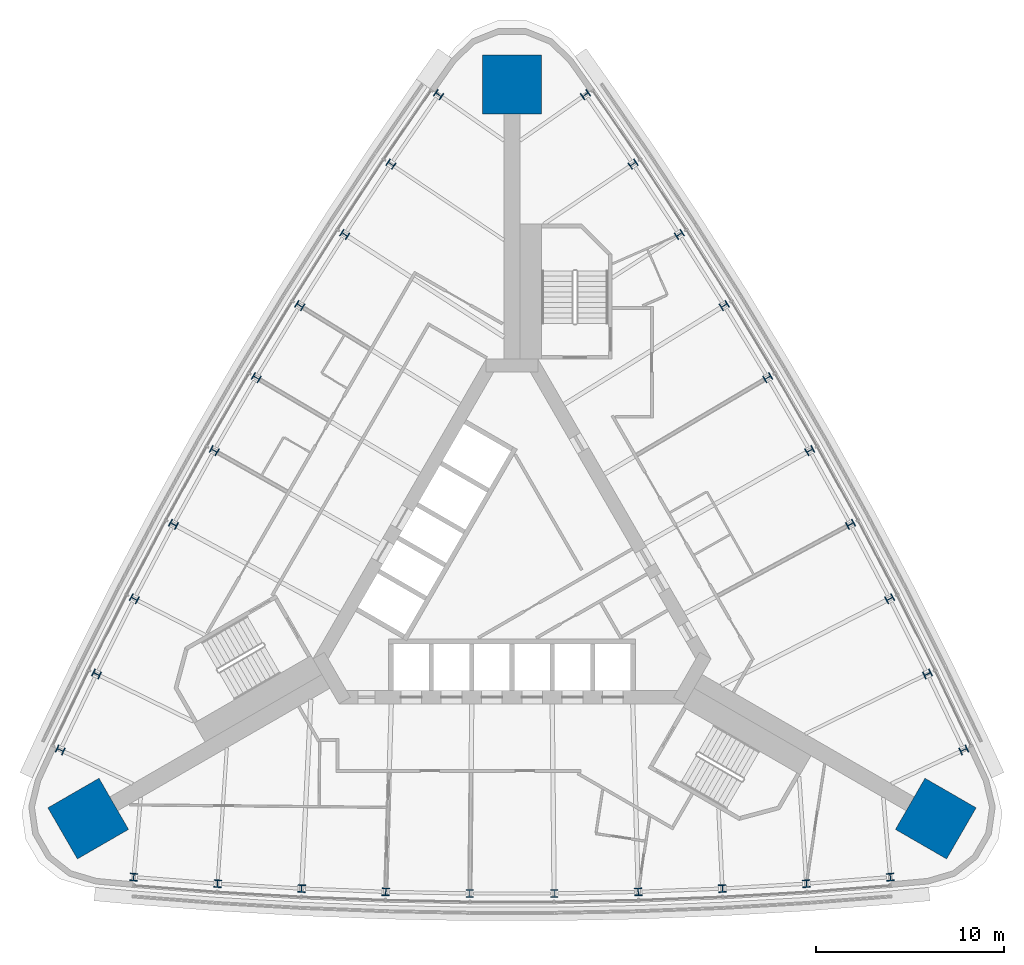
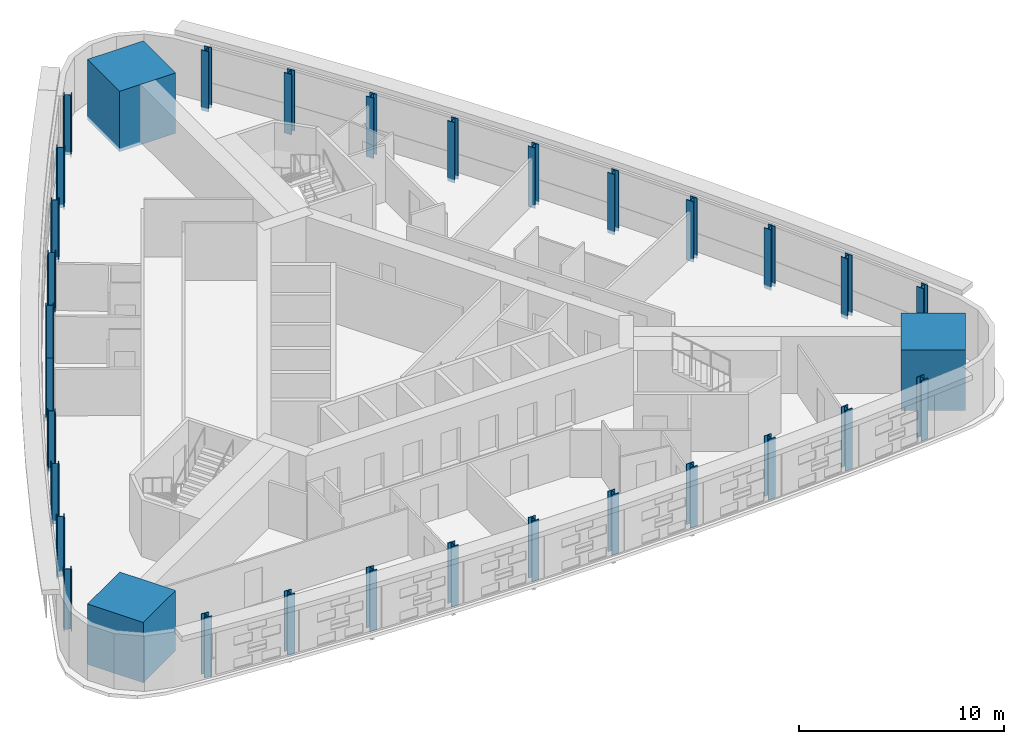
# One storey, part 1 of 13: 33 columns.
"""IFC4 building model written with IfcOpenShell, lengths in metres."""

from ifc_helpers import new_model, si_unit, direction, frame, origin, origin_2d, place, context, subcontext, project, spatial, rectangle, i_section, extrude, material, material_profile, profile_set, type_object, element, save


model = new_model("IFC4")

# Units and contexts
model_context = context("Model", 3, precision=1e-05, world=origin(), true_north=direction((0.0, 1.0)))
body_context = subcontext(model_context, "Body", "Model", "MODEL_VIEW")
ifc_project = project(units=[si_unit("LENGTHUNIT", "METRE"), si_unit("AREAUNIT", "SQUARE_METRE"), si_unit("VOLUMEUNIT", "CUBIC_METRE"), si_unit("PLANEANGLEUNIT", "RADIAN"), si_unit("MASSUNIT", "GRAM", prefix="KILO")], contexts=[model_context])

# Site, building, storey
site_placement = place(None, origin())
site = spatial("IfcSite", under=ifc_project, at=site_placement, CompositionType="ELEMENT")
building_placement = place(site_placement, origin())
building = spatial("IfcBuilding", under=site, at=building_placement, Name="Noor Cloister Tower", CompositionType="ELEMENT")
storey_placement = place(building_placement, frame((0.0, 0.0, 79.800048828125)))
storey = spatial("IfcBuildingStorey", under=building, at=storey_placement, Name="L20", CompositionType="ELEMENT", Elevation=79.800048828125)

# Columns
ifc_material_1 = material(Name="Steel ASTM A992 Gr 50", Category="steel")
ifc_material_profile_1 = material_profile(ifc_material_1, i_section(OverallWidth=0.404052734375, OverallDepth=0.406005859375, WebThickness=0.027099609375, FlangeThickness=0.043701171875, FilletRadius=0.01513671875, at=origin_2d()), Name="W360x347")
ifc_profile_set_1 = profile_set([ifc_material_profile_1], Name="Steel ASTM A992 Gr 50")
column_type_1 = type_object("IfcColumnType", Name="Column W360x347", PredefinedType="COLUMN", material=ifc_profile_set_1)
for number, where, z_axis, x_axis, name in (
    (1, (-3.913818359375, 25.556884765625, -0.199951171875), (0.0, 0.0, 1.0), (-0.57389872183, -0.818926283057, 0.0), "Column NW 01 L20"),
    (2, (-6.454345703125, 21.85546875, -0.199951171875), (0.0, 0.0, 1.0), (-0.557838169757, -0.829949743275, 0.0), "Column NW 02 L20"),
    (3, (-8.922119140625, 18.10546875, -0.199951171875), (0.0, 0.0, 1.0), (-0.541565941508, -0.840658272426, 0.0), "Column NW 03 L20"),
    (4, (-11.31640625, 14.30810546875, -0.199951171875), (0.0, 0.0, 1.0), (-0.525088211726, -0.851047807063, 0.0), "Column NW 04 L20"),
    (5, (-13.636474609375, 10.46484375, -0.199951171875), (0.0, 0.0, 1.0), (-0.508411233016, -0.861114404794, 0.0), "Column NW 05 L20"),
    (6, (-15.881103515625, 6.5771484375, -0.199951171875), (0.0, 0.0, 1.0), (-0.491541333608, -0.870854245758, 0.0), "Column NW 06 L20"),
    (7, (-18.049560546875, 2.646240234375, -0.199951171875), (0.0, 0.0, 1.0), (-0.474484914889, -0.880263634114, 0.0), "Column NW 07 L20"),
    (8, (-20.140869140625, -1.325927734375, -0.199951171875), (0.0, 0.0, 1.0), (-0.457248449068, -0.889338999384, 0.0), "Column NW 08 L20"),
    (9, (-22.154541015625, -5.338134765625, -0.199951171875), (0.0, 0.0, 1.0), (-0.439838476662, -0.898076897848, 0.0), "Column NW 09 L20"),
    (10, (-24.08984375, -9.388916015625, -0.199951171875), (0.0, 0.0, 1.0), (-0.422261604039, -0.906474013833, 0.0), "Column NW 10 L20"),
    (11, (-20.176025390625, -16.16796875, -0.199951171875), (0.0, 0.0, 1.0), (0.996160325869, -0.087547730776, 0.0), "Column S 01 L20"),
    (12, (-15.700439453125, -16.517333984375, -0.199951171875), (0.0, 0.0, 1.0), (0.997676646419, -0.068127154572, 0.0), "Column S 02 L20"),
    (13, (-11.21875, -16.779541015625, -0.199951171875), (0.0, 0.0, 1.0), (0.998814390577, -0.048680726958, 0.0), "Column S 03 L20"),
    (14, (-6.73291015625, -16.954345703125, -0.199951171875), (0.0, 0.0, 1.0), (0.999573126614, -0.029215827051, 0.0), "Column S 04 L20"),
    (15, (-2.24462890625, -17.0419921875, -0.199951171875), (0.0, 0.0, 1.0), (0.999952566624, -0.009739840965, 0.0), "Column S 05 L20"),
    (16, (2.24462890625, -17.0419921875, -0.199951171875), (0.0, 0.0, 1.0), (0.999952566624, 0.009739840965, 0.0), "Column S 06 L20"),
    (17, (6.73291015625, -16.954345703125, -0.199951171875), (0.0, 0.0, 1.0), (0.999573126614, 0.029215827051, 0.0), "Column S 07 L20"),
    (18, (11.21875, -16.779541015625, -0.199951171875), (0.0, 0.0, 1.0), (0.998814390577, 0.048680726958, 0.0), "Column S 08 L20"),
    (19, (15.700439453125, -16.517333984375, -0.199951171875), (0.0, 0.0, 1.0), (0.997676646419, 0.068127154572, 0.0), "Column S 09 L20"),
    (20, (20.176025390625, -16.16796875, -0.199951171875), (0.0, 0.0, 1.0), (0.996160325869, 0.087547730776, 0.0), "Column S 10 L20"),
    (21, (24.08984375, -9.388916015625, -0.199951171875), (0.0, 0.0, 1.0), (-0.422261604039, 0.906474013833, 0.0), "Column NE 01 L20"),
    (22, (22.154541015625, -5.338134765625, -0.199951171875), (0.0, 0.0, 1.0), (-0.439838476662, 0.898076897848, 0.0), "Column NE 02 L20"),
    (23, (20.140869140625, -1.325927734375, -0.199951171875), (0.0, 0.0, 1.0), (-0.457248449068, 0.889338999384, 0.0), "Column NE 03 L20"),
    (24, (18.049560546875, 2.646240234375, -0.199951171875), (0.0, 0.0, 1.0), (-0.474484914889, 0.880263634114, 0.0), "Column NE 04 L20"),
    (25, (15.881103515625, 6.5771484375, -0.199951171875), (0.0, 0.0, 1.0), (-0.491541333608, 0.870854245758, 0.0), "Column NE 05 L20"),
    (26, (13.636474609375, 10.46484375, -0.199951171875), (0.0, 0.0, 1.0), (-0.508411233016, 0.861114404794, 0.0), "Column NE 06 L20"),
    (27, (11.31640625, 14.30810546875, -0.199951171875), (0.0, 0.0, 1.0), (-0.525088211726, 0.851047807063, 0.0), "Column NE 07 L20"),
    (28, (8.922119140625, 18.10546875, -0.199951171875), (0.0, 0.0, 1.0), (-0.541565941508, 0.840658272426, 0.0), "Column NE 08 L20"),
    (29, (6.454345703125, 21.85546875, -0.199951171875), (0.0, 0.0, 1.0), (-0.557838169757, 0.829949743275, 0.0), "Column NE 09 L20"),
    (30, (3.913818359375, 25.556884765625, -0.199951171875), (0.0, 0.0, 1.0), (-0.57389872183, 0.818926283057, 0.0), "Column NE 10 L20"),
):
    element("IfcColumn", number, at=place(storey_placement, frame(where, z_axis=z_axis, x_axis=x_axis)), inside=storey, type_object=column_type_1, Name=name, PredefinedType="COLUMN", context=body_context, shape_type="SweptSolid", body=[
        extrude(i_section(OverallWidth=0.404052734375, OverallDepth=0.406005859375, WebThickness=0.027099609375, FlangeThickness=0.043701171875, FilletRadius=0.01513671875, at=origin_2d()), origin(), (0.0, 0.0, 1.0), 3.599853515625),
    ])
ifc_material_2 = material(Name="Concrete C80/95", Category="concrete")
ifc_material_profile_2 = material_profile(ifc_material_2, rectangle(XDim=3.14990234375, YDim=3.14990234375, at=origin_2d()), Name="RC 3150x3150")
ifc_profile_set_2 = profile_set([ifc_material_profile_2], Name="Concrete C80/95")
column_type_2 = type_object("IfcColumnType", Name="Corner pier 3150 x 3150 C80/95", PredefinedType="COLUMN", material=ifc_profile_set_2)
for number, where, z_axis, x_axis, name in (
    (31, (0.0, 26.095947265625, -0.199951171875), (0.0, 0.0, 1.0), (0.0, 1.0, 0.0), "Corner pier N L20"),
    (32, (-22.599853515625, -13.048095703125, -0.199951171875), (0.0, 0.0, 1.0), (-0.866025403784, -0.5, 0.0), "Corner pier SW L20"),
    (33, (22.599853515625, -13.048095703125, -0.199951171875), (0.0, 0.0, 1.0), (0.866025403784, -0.5, 0.0), "Corner pier SE L20"),
):
    element("IfcColumn", number, at=place(storey_placement, frame(where, z_axis=z_axis, x_axis=x_axis)), inside=storey, type_object=column_type_2, Name=name, PredefinedType="COLUMN", context=body_context, shape_type="SweptSolid", body=[
        extrude(rectangle(XDim=3.14990234375, YDim=3.14990234375, at=origin_2d()), origin(), (0.0, 0.0, 1.0), 3.599853515625),
    ])

save(model, "model.ifc")
